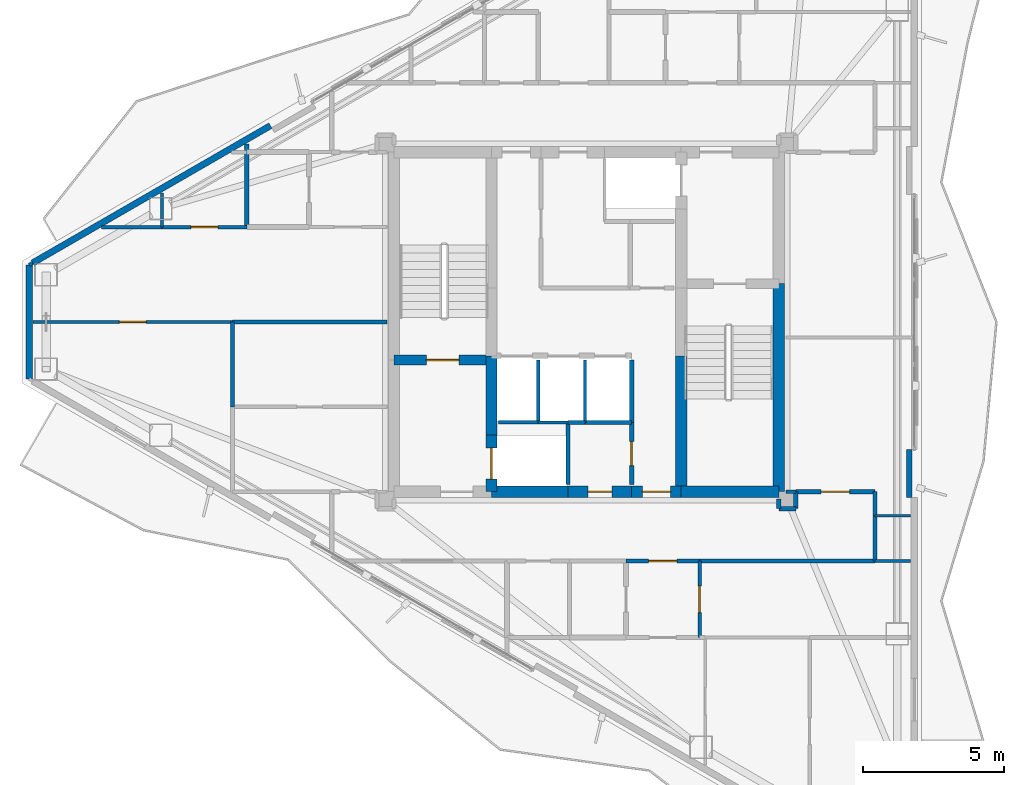
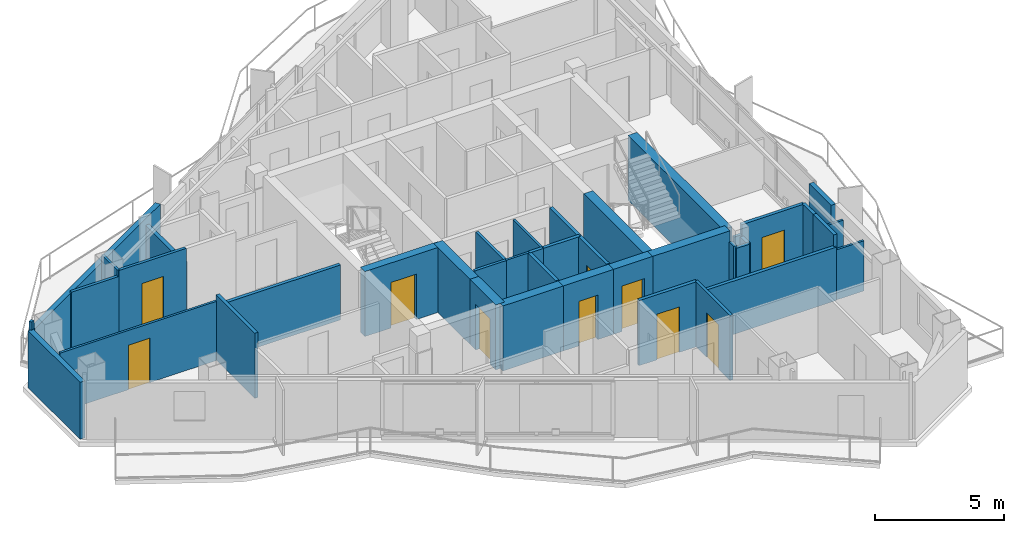
# One storey, part 17 of 22: 41 walls, 10 doors, 10 openings.
"""IFC4 building model written with IfcOpenShell, lengths in metres."""

from ifc_helpers import new_model, si_unit, direction, frame, frame_2d, origin, place, context, subcontext, project, spatial, rectangle, extrude, material, layer, layer_set, type_object, element, fill, save


model = new_model("IFC4")

# Units and contexts
model_context = context("Model", 3, precision=1e-05, world=origin(), true_north=direction((0.0, 1.0)))
body_context = subcontext(model_context, "Body", "Model", "MODEL_VIEW")
ifc_project = project(units=[si_unit("LENGTHUNIT", "METRE"), si_unit("AREAUNIT", "SQUARE_METRE"), si_unit("VOLUMEUNIT", "CUBIC_METRE"), si_unit("PLANEANGLEUNIT", "RADIAN"), si_unit("MASSUNIT", "GRAM", prefix="KILO")], contexts=[model_context])

# Site, building, storey
site_placement = place(None, origin())
site = spatial("IfcSite", under=ifc_project, at=site_placement, CompositionType="ELEMENT")
building_placement = place(site_placement, origin())
building = spatial("IfcBuilding", under=site, at=building_placement, Name="Mersakhor Tower and Convention Hall", CompositionType="ELEMENT")
storey_placement = place(building_placement, frame((0.0, 0.0, 198.60009765625)))
storey = spatial("IfcBuildingStorey", under=building, at=storey_placement, Name="L55", CompositionType="ELEMENT", Elevation=198.60009765625)

# Walls
ifc_material_1 = material(Name="Precast concrete C40/50", Category="concrete")
ifc_layer_1 = layer(ifc_material_1, 0.22509765625)
ifc_layer_set_1 = layer_set([ifc_layer_1], Name="Precast concrete C40/50")
wall_type_1 = type_object("IfcWallType", Name="WL-EXT-225", PredefinedType="SOLIDWALL", material=ifc_layer_set_1)
wall_1_placement = place(storey_placement, frame((9.3076171875, 24.73828125, 0.0), z_axis=(0.0, 0.0, 1.0), x_axis=(0.0, 1.0, 0.0)))
element("IfcWall", 1, at=wall_1_placement, inside=storey, type_object=wall_type_1, Name="L55 Chamfer Braced Spandrel Wall C3", PredefinedType="SOLIDWALL", context=body_context, shape_type="SweptSolid", body=[
    extrude(rectangle(XDim=4.0234375, YDim=0.22509765625, at=frame_2d((2.01171875, 0.0))), origin(), (0.0, 0.0, 1.0), 2.68994140625),
])
wall_2_placement = place(storey_placement, frame((9.4375, 28.836669921875, 0.0), z_axis=(0.0, 0.0, 1.0), x_axis=(0.866027133173, 0.499997004599, 0.0)))
element("IfcWall", 2, at=wall_2_placement, inside=storey, type_object=wall_type_1, Name="L55 Exterior Facade Wall F1-B1", PredefinedType="SOLIDWALL", context=body_context, shape_type="SweptSolid", body=[
    extrude(rectangle(XDim=9.69873046875, YDim=0.22509765625, at=frame_2d((4.849365234375, 0.0))), origin(), (0.0, 0.0, 1.0), 2.68994140625),
])
ifc_material_2 = material(Name="Precast concrete C40/50", Category="concrete")
ifc_layer_2 = layer(ifc_material_2, 0.199951171875)
ifc_layer_set_2 = layer_set([ifc_layer_2], Name="Precast concrete C40/50")
wall_type_2 = type_object("IfcWallType", Name="WL-PAR-200", PredefinedType="PARAPET", material=ifc_layer_set_2)
wall_3_placement = place(storey_placement, frame((40.408447265625, 22.25048828125, 0.0), z_axis=(0.0, 0.0, 1.0), x_axis=(0.0, -1.0, 0.0)))
element("IfcWall", 3, at=wall_3_placement, inside=storey, type_object=wall_type_2, Name="L55 Column Pier Cladding Wall F2-C2", PredefinedType="PARAPET", context=body_context, shape_type="SweptSolid", body=[
    extrude(rectangle(XDim=1.699951171875, YDim=0.199951171875, at=frame_2d((0.85009765625, 0.0))), origin(), (0.0, 0.0, 1.0), 2.68994140625),
])
ifc_material_3 = material(Name="Moisture-resistant acoustic drywall studwork", Category="other")
ifc_layer_3 = layer(ifc_material_3, 0.175048828125)
ifc_layer_set_3 = layer_set([ifc_layer_3], Name="Moisture-resistant acoustic drywall studwork")
wall_type_3 = type_object("IfcWallType", Name="WL-PLM-175", PredefinedType="PLUMBINGWALL", material=ifc_layer_set_3)
wall_4_placement = place(storey_placement, frame((17.0, 30.10009765625, 0.0), z_axis=(0.0, 0.0, 1.0), x_axis=(0.0, 1.0, 0.0)))
element("IfcWall", 4, at=wall_4_placement, inside=storey, type_object=wall_type_3, Name="L55 Interior Partition Wall P-078", PredefinedType="PLUMBINGWALL", context=body_context, shape_type="SweptSolid", body=[
    extrude(rectangle(XDim=2.9453125, YDim=0.175048828125, at=frame_2d((1.47265625, 0.0))), origin(), (0.0, 0.0, 1.0), 2.364990234375),
])
ifc_material_4 = material(Name="Lightweight gypsum partition", Category="other")
ifc_layer_4 = layer(ifc_material_4, 0.10009765625)
ifc_layer_set_4 = layer_set([ifc_layer_4], Name="Lightweight gypsum partition")
wall_type_4 = type_object("IfcWallType", Name="WL-PRT-100", PredefinedType="PARTITIONING", material=ifc_layer_set_4)
wall_5_placement = place(storey_placement, frame((27.300048828125, 23.199951171875, 0.0), z_axis=(0.0, 0.0, 1.0), x_axis=(1.0, 0.0, 0.0)))
element("IfcWall", 5, at=wall_5_placement, inside=storey, type_object=wall_type_4, Name="L55 Interior Partition Wall P-002", PredefinedType="PARTITIONING", context=body_context, shape_type="SweptSolid", body=[
    extrude(rectangle(XDim=1.050048828125, YDim=0.10009765625, at=frame_2d((0.52490234375, 0.0))), origin(), (0.0, 0.0, 1.0), 3.06982421875),
])
wall_6_placement = place(storey_placement, frame((28.949951171875, 25.39990234375, 0.0), z_axis=(0.0, 0.0, 1.0), x_axis=(0.0, -1.0, 0.0)))
element("IfcWall", 6, at=wall_6_placement, inside=storey, type_object=wall_type_4, Name="L55 Interior Partition Wall P-008", PredefinedType="PARTITIONING", context=body_context, shape_type="SweptSolid", body=[
    extrude(rectangle(XDim=2.199951171875, YDim=0.10009765625, at=frame_2d((1.10009765625, 0.0))), origin(), (0.0, 0.0, 1.0), 3.06982421875),
])
wall_7_placement = place(storey_placement, frame((39.199951171875, 18.300048828125, 0.0), z_axis=(0.0, 0.0, 1.0), x_axis=(1.0, 0.0, 0.0)))
element("IfcWall", 7, at=wall_7_placement, inside=storey, type_object=wall_type_4, Name="L55 Interior Partition Wall P-072", PredefinedType="PARTITIONING", context=body_context, shape_type="SweptSolid", body=[
    extrude(rectangle(XDim=1.251953125, YDim=0.10009765625, at=frame_2d((0.6259765625, 0.0))), origin(), (0.0, 0.0, 1.0), 2.364990234375),
])
wall_8_placement = place(storey_placement, frame((14.0, 30.10009765625, 0.0), z_axis=(0.0, 0.0, 1.0), x_axis=(0.0, 1.0, 0.0)))
element("IfcWall", 8, at=wall_8_placement, inside=storey, type_object=wall_type_4, Name="L55 Interior Partition Wall P-080", PredefinedType="PARTITIONING", context=body_context, shape_type="SweptSolid", body=[
    extrude(rectangle(XDim=1.213134765625, YDim=0.10009765625, at=frame_2d((0.6064453125, 0.0))), origin(), (0.0, 0.0, 1.0), 3.06982421875),
])
wall_9_placement = place(storey_placement, frame((40.451904296875, 19.89990234375, 0.0), z_axis=(0.0, 0.0, 1.0), x_axis=(-1.0, 0.0, 0.0)))
element("IfcWall", 9, at=wall_9_placement, inside=storey, type_object=wall_type_4, Name="L55 Interior Partition Wall P-094", PredefinedType="PARTITIONING", context=body_context, shape_type="SweptSolid", body=[
    extrude(rectangle(XDim=1.251953125, YDim=0.10009765625, at=frame_2d((0.6259765625, 0.0))), origin(), (0.0, 0.0, 1.0), 2.364990234375),
])

# Wall, opening, door
wall_10_placement = place(storey_placement, frame((16.5, 26.75, 0.0), z_axis=(0.0, 0.0, 1.0), x_axis=(-1.0, 0.0, 0.0)))
wall_10 = element("IfcWall", 10, at=wall_10_placement, inside=storey, type_object=wall_type_4, Name="L55 Interior Partition Wall P-104", PredefinedType="PARTITIONING", context=body_context, shape_type="SweptSolid", body=[
    extrude(rectangle(XDim=7.055908203125, YDim=0.10009765625, at=frame_2d((3.52783203125, 0.0))), origin(), (0.0, 0.0, 1.0), 2.794677734375),
])
opening_1_placement = place(wall_10_placement, frame((3.052978515625, 0.0, 0.0)))
opening_1 = element("IfcOpeningElement", 11, at=opening_1_placement, cuts=wall_10, Name="Opening RD-01", PredefinedType="OPENING", context=body_context, shape_type="SweptSolid", body=[
    extrude(rectangle(XDim=0.949951171875, YDim=2.10009765625, at=frame_2d((0.47509765625, 1.050048828125))), frame((0.0, 0.06005859375, 0.0), z_axis=(0.0, -1.0, 0.0), x_axis=(1.0, 0.0, 0.0)), (0.0, 0.0, 1.0), 0.1201171875),
])
ifc_material_5 = material(Name="Solid-core hardwood leaf in painted steel frame", Category="steel")
door_type_1 = type_object("IfcDoorType", Name="DR-INT-RM-095x210", OperationType="NOTDEFINED", PredefinedType="DOOR", material=ifc_material_5)
door_1_placement = place(opening_1_placement, origin())
door_1 = element("IfcDoor", 12, at=door_1_placement, inside=storey, type_object=door_type_1, Name="L55 L55 Flat W4 Living and Dining Room to L55 Flat W4 Master Bedroom Door", OperationType="SINGLE_SWING_LEFT", OverallHeight=2.10009765625, OverallWidth=0.949951171875, PredefinedType="DOOR", context=body_context, shape_type="SweptSolid", body=[
    extrude(rectangle(XDim=0.949951171875, YDim=2.10009765625, at=frame_2d((0.47509765625, 1.050048828125))), frame((0.0, 0.02490234375, 0.0), z_axis=(0.0, -1.0, 0.0), x_axis=(1.0, 0.0, 0.0)), (0.0, 0.0, 1.0), 0.050048828125),
])
fill(opening_1, door_1)

# Walls
ifc_material_6 = material(Name="Gypsum board acoustic partition", Category="other")
ifc_layer_5 = layer(ifc_material_6, 0.125)
ifc_layer_set_5 = layer_set([ifc_layer_5], Name="Gypsum board acoustic partition")
wall_type_5 = type_object("IfcWallType", Name="WL-PRT-125", PredefinedType="PARTITIONING", material=ifc_layer_set_5)
wall_11_placement = place(storey_placement, frame((25.89990234375, 23.199951171875, 0.0), z_axis=(0.0, 0.0, 1.0), x_axis=(1.0, 0.0, 0.0)))
element("IfcWall", 13, at=wall_11_placement, inside=storey, type_object=wall_type_5, Name="L55 Interior Partition Wall P-001", PredefinedType="PARTITIONING", context=body_context, shape_type="SweptSolid", body=[
    extrude(rectangle(XDim=1.400146484375, YDim=0.125, at=frame_2d((0.7001953125, 0.0))), origin(), (0.0, 0.0, 1.0), 3.06982421875),
])
wall_12_placement = place(storey_placement, frame((27.300048828125, 25.39990234375, 0.0), z_axis=(0.0, 0.0, 1.0), x_axis=(0.0, -1.0, 0.0)))
element("IfcWall", 14, at=wall_12_placement, inside=storey, type_object=wall_type_5, Name="L55 Interior Partition Wall P-007", PredefinedType="PARTITIONING", context=body_context, shape_type="SweptSolid", body=[
    extrude(rectangle(XDim=2.199951171875, YDim=0.125, at=frame_2d((1.10009765625, 0.0))), origin(), (0.0, 0.0, 1.0), 3.06982421875),
])

# Wall, opening, door
wall_13_placement = place(storey_placement, frame((33.0, 18.300048828125, 0.0), z_axis=(0.0, 0.0, 1.0), x_axis=(0.0, -1.0, 0.0)))
wall_13 = element("IfcWall", 15, at=wall_13_placement, inside=storey, type_object=wall_type_5, Name="L55 Interior Partition Wall P-055", PredefinedType="PARTITIONING", context=body_context, shape_type="SweptSolid", body=[
    extrude(rectangle(XDim=2.699951171875, YDim=0.125, at=frame_2d((1.35009765625, 0.0))), origin(), (0.0, 0.0, 1.0), 3.06982421875),
])
opening_2_placement = place(wall_13_placement, frame((0.875, 0.0, 0.0)))
opening_2 = element("IfcOpeningElement", 16, at=opening_2_placement, cuts=wall_13, Name="Opening RD-01", PredefinedType="OPENING", context=body_context, shape_type="SweptSolid", body=[
    extrude(rectangle(XDim=0.949951171875, YDim=2.10009765625, at=frame_2d((0.47509765625, 1.050048828125))), frame((0.0, 0.072509765625, 0.0), z_axis=(0.0, -1.0, 0.0), x_axis=(1.0, 0.0, 0.0)), (0.0, 0.0, 1.0), 0.14501953125),
])
door_2_placement = place(opening_2_placement, origin())
door_2 = element("IfcDoor", 17, at=door_2_placement, inside=storey, type_object=door_type_1, Name="L55 L55 Flat S3 Apartment Hall to L55 Flat S3 Kitchen Door", OperationType="SINGLE_SWING_LEFT", OverallHeight=2.10009765625, OverallWidth=0.949951171875, PredefinedType="DOOR", context=body_context, shape_type="SweptSolid", body=[
    extrude(rectangle(XDim=0.949951171875, YDim=2.10009765625, at=frame_2d((0.47509765625, 1.050048828125))), frame((0.0, 0.02490234375, 0.0), z_axis=(0.0, -1.0, 0.0), x_axis=(1.0, 0.0, 0.0)), (0.0, 0.0, 1.0), 0.050048828125),
])
fill(opening_2, door_2)

wall_14_placement = place(storey_placement, frame((17.0, 30.10009765625, 0.0), z_axis=(0.0, 0.0, 1.0), x_axis=(-1.0, 0.0, 0.0)))
wall_14 = element("IfcWall", 18, at=wall_14_placement, inside=storey, type_object=wall_type_5, Name="L55 Interior Partition Wall P-079", PredefinedType="PARTITIONING", context=body_context, shape_type="SweptSolid", body=[
    extrude(rectangle(XDim=3.0, YDim=0.125, at=frame_2d((1.5, 0.0))), origin(), (0.0, 0.0, 1.0), 3.06982421875),
])
opening_3_placement = place(wall_14_placement, frame((1.02490234375, 0.0, 0.0)))
opening_3 = element("IfcOpeningElement", 19, at=opening_3_placement, cuts=wall_14, Name="Opening RD-01", PredefinedType="OPENING", context=body_context, shape_type="SweptSolid", body=[
    extrude(rectangle(XDim=0.949951171875, YDim=2.10009765625, at=frame_2d((0.47509765625, 1.050048828125))), frame((0.0, 0.072509765625, 0.0), z_axis=(0.0, -1.0, 0.0), x_axis=(1.0, 0.0, 0.0)), (0.0, 0.0, 1.0), 0.14501953125),
])
door_3_placement = place(opening_3_placement, origin())
door_3 = element("IfcDoor", 20, at=door_3_placement, inside=storey, type_object=door_type_1, Name="L55 L55 Flat W4 Kitchen to L55 Flat W4 Living and Dining Room Door", OperationType="SINGLE_SWING_LEFT", OverallHeight=2.10009765625, OverallWidth=0.949951171875, PredefinedType="DOOR", context=body_context, shape_type="SweptSolid", body=[
    extrude(rectangle(XDim=0.949951171875, YDim=2.10009765625, at=frame_2d((0.47509765625, 1.050048828125))), frame((0.0, 0.02490234375, 0.0), z_axis=(0.0, -1.0, 0.0), x_axis=(1.0, 0.0, 0.0)), (0.0, 0.0, 1.0), 0.050048828125),
])
fill(opening_3, door_3)

# Walls
wall_15_placement = place(storey_placement, frame((36.39990234375, 20.75, 0.0), z_axis=(0.0, 0.0, 1.0), x_axis=(-1.0, 0.0, 0.0)))
element("IfcWall", 21, at=wall_15_placement, inside=storey, type_object=wall_type_5, Name="L55 Interior Partition Wall P-093", PredefinedType="PARTITIONING", context=body_context, shape_type="SweptSolid", body=[
    extrude(rectangle(XDim=0.349853515625, YDim=0.125, at=frame_2d((0.1748046875, 0.0))), origin(), (0.0, 0.0, 1.0), 2.594970703125),
])
wall_16_placement = place(storey_placement, frame((11.873779296875, 30.10009765625, 0.0), z_axis=(0.0, 0.0, 1.0), x_axis=(1.0, 0.0, 0.0)))
element("IfcWall", 22, at=wall_16_placement, inside=storey, type_object=wall_type_5, Name="L55 Interior Partition Wall P-103", PredefinedType="PARTITIONING", context=body_context, shape_type="SweptSolid", body=[
    extrude(rectangle(XDim=2.126220703125, YDim=0.125, at=frame_2d((1.06298828125, 0.0))), origin(), (0.0, 0.0, 1.0), 2.794677734375),
])
wall_17_placement = place(storey_placement, frame((9.306884765625, 28.761962890625, 0.0), z_axis=(0.0, 0.0, 1.0), x_axis=(0.866239593359, 0.499628829129, 0.0)))
element("IfcWall", 23, at=wall_17_placement, inside=storey, type_object=wall_type_5, Name="L55 Interior Partition Wall P-105", PredefinedType="PARTITIONING", context=body_context, shape_type="SweptSolid", body=[
    extrude(rectangle(XDim=0.150390625, YDim=0.125, at=frame_2d((0.0751953125, 0.0))), origin(), (0.0, 0.0, 1.0), 3.06982421875),
])
ifc_material_7 = material(Name="Fire-rated gypsum board stud partition", Category="other")
ifc_layer_6 = layer(ifc_material_7, 0.14990234375)
ifc_layer_set_6 = layer_set([ifc_layer_6], Name="Fire-rated gypsum board stud partition")
wall_type_6 = type_object("IfcWallType", Name="WL-PRT-150", PredefinedType="PARTITIONING", material=ifc_layer_set_6)
wall_18_placement = place(storey_placement, frame((28.35009765625, 23.199951171875, 0.0), z_axis=(0.0, 0.0, 1.0), x_axis=(0.0, -1.0, 0.0)))
element("IfcWall", 24, at=wall_18_placement, inside=storey, type_object=wall_type_6, Name="L55 Interior Partition Wall P-003", PredefinedType="PARTITIONING", context=body_context, shape_type="SweptSolid", body=[
    extrude(rectangle(XDim=2.199951171875, YDim=0.14990234375, at=frame_2d((1.10009765625, 0.0))), origin(), (0.0, 0.0, 1.0), 3.06982421875),
])
wall_19_placement = place(storey_placement, frame((28.949951171875, 23.199951171875, 0.0), z_axis=(0.0, 0.0, 1.0), x_axis=(-1.0, 0.0, 0.0)))
element("IfcWall", 25, at=wall_19_placement, inside=storey, type_object=wall_type_6, Name="L55 Interior Partition Wall P-009", PredefinedType="PARTITIONING", context=body_context, shape_type="SweptSolid", body=[
    extrude(rectangle(XDim=0.599853515625, YDim=0.14990234375, at=frame_2d((0.2998046875, 0.0))), origin(), (0.0, 0.0, 1.0), 3.06982421875),
])
wall_20_placement = place(storey_placement, frame((30.60009765625, 25.39990234375, 0.0), z_axis=(0.0, 0.0, 1.0), x_axis=(0.0, -1.0, 0.0)))
element("IfcWall", 26, at=wall_20_placement, inside=storey, type_object=wall_type_6, Name="L55 Interior Partition Wall P-010", PredefinedType="PARTITIONING", context=body_context, shape_type="SweptSolid", body=[
    extrude(rectangle(XDim=2.199951171875, YDim=0.14990234375, at=frame_2d((1.10009765625, 0.0))), origin(), (0.0, 0.0, 1.0), 3.06982421875),
])
wall_21_placement = place(storey_placement, frame((30.60009765625, 23.199951171875, 0.0), z_axis=(0.0, 0.0, 1.0), x_axis=(-1.0, 0.0, 0.0)))
element("IfcWall", 27, at=wall_21_placement, inside=storey, type_object=wall_type_6, Name="L55 Interior Partition Wall P-011", PredefinedType="PARTITIONING", context=body_context, shape_type="SweptSolid", body=[
    extrude(rectangle(XDim=1.650146484375, YDim=0.14990234375, at=frame_2d((0.8251953125, 0.0))), origin(), (0.0, 0.0, 1.0), 3.06982421875),
])

# Wall, opening, door
wall_22_placement = place(storey_placement, frame((30.60009765625, 21.0, 0.0), z_axis=(0.0, 0.0, 1.0), x_axis=(0.0, 1.0, 0.0)))
wall_22 = element("IfcWall", 28, at=wall_22_placement, inside=storey, type_object=wall_type_6, Name="L55 Interior Partition Wall P-012", PredefinedType="PARTITIONING", context=body_context, shape_type="SweptSolid", body=[
    extrude(rectangle(XDim=2.199951171875, YDim=0.14990234375, at=frame_2d((1.10009765625, 0.0))), origin(), (0.0, 0.0, 1.0), 3.06982421875),
])
opening_4_placement = place(wall_22_placement, frame((0.675048828125, 0.0, 0.0)))
opening_4 = element("IfcOpeningElement", 29, at=opening_4_placement, cuts=wall_22, Name="Opening SVD-01", PredefinedType="OPENING", context=body_context, shape_type="SweptSolid", body=[
    extrude(rectangle(XDim=0.85009765625, YDim=2.10009765625, at=frame_2d((0.425048828125, 1.050048828125))), frame((0.0, 0.0849609375, 0.0), z_axis=(0.0, -1.0, 0.0), x_axis=(1.0, 0.0, 0.0)), (0.0, 0.0, 1.0), 0.169921875),
])
ifc_material_8 = material(Name="Fire-rated hardwood leaf and painted steel frame", Category="steel")
door_type_2 = type_object("IfcDoorType", Name="DR-INT-SVC-085x210", OperationType="NOTDEFINED", PredefinedType="DOOR", material=ifc_material_8)
door_4_placement = place(opening_4_placement, origin())
door_4 = element("IfcDoor", 30, at=door_4_placement, inside=storey, type_object=door_type_2, Name="L55 Central Passenger Lift Lobby to Electrical Distribution Room Door", OperationType="SINGLE_SWING_LEFT", OverallHeight=2.10009765625, OverallWidth=0.85009765625, PredefinedType="DOOR", context=body_context, shape_type="SweptSolid", body=[
    extrude(rectangle(XDim=0.85009765625, YDim=2.10009765625, at=frame_2d((0.425048828125, 1.050048828125))), frame((0.0, 0.02490234375, 0.0), z_axis=(0.0, -1.0, 0.0), x_axis=(1.0, 0.0, 0.0)), (0.0, 0.0, 1.0), 0.050048828125),
])
fill(opening_4, door_4)

# Walls
wall_23_placement = place(storey_placement, frame((35.800048828125, 20.5, 0.0), z_axis=(0.0, 0.0, 1.0), x_axis=(0.0, -1.0, 0.0)))
element("IfcWall", 31, at=wall_23_placement, inside=storey, type_object=wall_type_6, Name="L55 Interior Partition Wall P-038", PredefinedType="PARTITIONING", context=body_context, shape_type="SweptSolid", body=[
    extrude(rectangle(XDim=0.35009765625, YDim=0.14990234375, at=frame_2d((0.175048828125, 0.0))), origin(), (0.0, 0.0, 1.0), 2.594970703125),
])
wall_24_placement = place(storey_placement, frame((35.800048828125, 20.14990234375, 0.0), z_axis=(0.0, 0.0, 1.0), x_axis=(1.0, 0.0, 0.0)))
element("IfcWall", 32, at=wall_24_placement, inside=storey, type_object=wall_type_6, Name="L55 Interior Partition Wall P-039", PredefinedType="PARTITIONING", context=body_context, shape_type="SweptSolid", body=[
    extrude(rectangle(XDim=0.599853515625, YDim=0.14990234375, at=frame_2d((0.2998046875, 0.0))), origin(), (0.0, 0.0, 1.0), 2.518310546875),
])
wall_25_placement = place(storey_placement, frame((36.39990234375, 20.14990234375, 0.0), z_axis=(0.0, 0.0, 1.0), x_axis=(0.0, 1.0, 0.0)))
element("IfcWall", 33, at=wall_25_placement, inside=storey, type_object=wall_type_6, Name="L55 Interior Partition Wall P-040", PredefinedType="PARTITIONING", context=body_context, shape_type="SweptSolid", body=[
    extrude(rectangle(XDim=0.60009765625, YDim=0.14990234375, at=frame_2d((0.300048828125, 0.0))), origin(), (0.0, 0.0, 1.0), 2.518310546875),
])

# Wall, opening, door
wall_26_placement = place(storey_placement, frame((36.39990234375, 20.75, 0.0), z_axis=(0.0, 0.0, 1.0), x_axis=(1.0, 0.0, 0.0)))
wall_26 = element("IfcWall", 34, at=wall_26_placement, inside=storey, type_object=wall_type_6, Name="L55 Interior Partition Wall P-041", PredefinedType="PARTITIONING", context=body_context, shape_type="SweptSolid", body=[
    extrude(rectangle(XDim=2.800048828125, YDim=0.14990234375, at=frame_2d((1.39990234375, 0.0))), origin(), (0.0, 0.0, 1.0), 3.06982421875),
])
opening_5_placement = place(wall_26_placement, frame((0.89990234375, 0.0, 0.0)))
opening_5 = element("IfcOpeningElement", 35, at=opening_5_placement, cuts=wall_26, Name="Opening FD-01", PredefinedType="OPENING", context=body_context, shape_type="SweptSolid", body=[
    extrude(rectangle(XDim=1.0, YDim=2.14990234375, at=frame_2d((0.5, 1.074951171875))), frame((0.0, 0.0849609375, 0.0), z_axis=(0.0, -1.0, 0.0), x_axis=(1.0, 0.0, 0.0)), (0.0, 0.0, 1.0), 0.169921875),
])
ifc_material_9 = material(Name="Fire-rated hardwood leaf and painted steel frame", Category="steel")
door_type_3 = type_object("IfcDoorType", Name="DR-INT-FLT-100x215", OperationType="NOTDEFINED", PredefinedType="DOOR", material=ifc_material_9)
door_5_placement = place(opening_5_placement, origin())
door_5 = element("IfcDoor", 36, at=door_5_placement, inside=storey, type_object=door_type_3, Name="L55 Residential South Gallery Corridor to L55 East Wing Residents Reading Lounge Door", OperationType="SINGLE_SWING_RIGHT", OverallHeight=2.14990234375, OverallWidth=1.0, PredefinedType="DOOR", context=body_context, shape_type="SweptSolid", body=[
    extrude(rectangle(XDim=1.0, YDim=2.14990234375, at=frame_2d((0.5, 1.074951171875))), frame((0.0, 0.02490234375, 0.0), z_axis=(0.0, -1.0, 0.0), x_axis=(1.0, 0.0, 0.0)), (0.0, 0.0, 1.0), 0.050048828125),
])
fill(opening_5, door_5)

# Walls
wall_27_placement = place(storey_placement, frame((39.199951171875, 20.75, 0.0), z_axis=(0.0, 0.0, 1.0), x_axis=(0.0, -1.0, 0.0)))
element("IfcWall", 37, at=wall_27_placement, inside=storey, type_object=wall_type_6, Name="L55 Interior Partition Wall P-042", PredefinedType="PARTITIONING", context=body_context, shape_type="SweptSolid", body=[
    extrude(rectangle(XDim=0.85009765625, YDim=0.14990234375, at=frame_2d((0.425048828125, 0.0))), origin(), (0.0, 0.0, 1.0), 3.06982421875),
])
wall_28_placement = place(storey_placement, frame((39.199951171875, 19.89990234375, 0.0), z_axis=(0.0, 0.0, 1.0), x_axis=(0.0, -1.0, 0.0)))
element("IfcWall", 38, at=wall_28_placement, inside=storey, type_object=wall_type_6, Name="L55 Interior Partition Wall P-043", PredefinedType="PARTITIONING", context=body_context, shape_type="SweptSolid", body=[
    extrude(rectangle(XDim=1.599853515625, YDim=0.14990234375, at=frame_2d((0.7998046875, 0.0))), origin(), (0.0, 0.0, 1.0), 3.06982421875),
])
wall_29_placement = place(storey_placement, frame((39.199951171875, 18.300048828125, 0.0), z_axis=(0.0, 0.0, 1.0), x_axis=(-1.0, 0.0, 0.0)))
element("IfcWall", 39, at=wall_29_placement, inside=storey, type_object=wall_type_6, Name="L55 Interior Partition Wall P-044", PredefinedType="PARTITIONING", context=body_context, shape_type="SweptSolid", body=[
    extrude(rectangle(XDim=6.199951171875, YDim=0.14990234375, at=frame_2d((3.10009765625, 0.0))), origin(), (0.0, 0.0, 1.0), 2.518310546875),
])

# Wall, opening, door
wall_30_placement = place(storey_placement, frame((33.0, 18.300048828125, 0.0), z_axis=(0.0, 0.0, 1.0), x_axis=(-1.0, 0.0, 0.0)))
wall_30 = element("IfcWall", 40, at=wall_30_placement, inside=storey, type_object=wall_type_6, Name="L55 Interior Partition Wall P-045", PredefinedType="PARTITIONING", context=body_context, shape_type="SweptSolid", body=[
    extrude(rectangle(XDim=2.60009765625, YDim=0.14990234375, at=frame_2d((1.300048828125, 0.0))), origin(), (0.0, 0.0, 1.0), 3.06982421875),
])
opening_6_placement = place(wall_30_placement, frame((0.800048828125, 0.0, 0.0)))
opening_6 = element("IfcOpeningElement", 41, at=opening_6_placement, cuts=wall_30, Name="Opening FD-01", PredefinedType="OPENING", context=body_context, shape_type="SweptSolid", body=[
    extrude(rectangle(XDim=1.0, YDim=2.14990234375, at=frame_2d((0.5, 1.074951171875))), frame((0.0, 0.0849609375, 0.0), z_axis=(0.0, -1.0, 0.0), x_axis=(1.0, 0.0, 0.0)), (0.0, 0.0, 1.0), 0.169921875),
])
door_6_placement = place(opening_6_placement, origin())
door_6 = element("IfcDoor", 42, at=door_6_placement, inside=storey, type_object=door_type_3, Name="L55 Apartment Entrance Door (Residential South Gallery Corridor to L55 Flat S3 Apartment Hall)", OperationType="SINGLE_SWING_LEFT", OverallHeight=2.14990234375, OverallWidth=1.0, PredefinedType="DOOR", context=body_context, shape_type="SweptSolid", body=[
    extrude(rectangle(XDim=1.0, YDim=2.14990234375, at=frame_2d((0.5, 1.074951171875))), frame((0.0, 0.02490234375, 0.0), z_axis=(0.0, -1.0, 0.0), x_axis=(1.0, 0.0, 0.0)), (0.0, 0.0, 1.0), 0.050048828125),
])
fill(opening_6, door_6)

# Walls
wall_31_placement = place(storey_placement, frame((16.5, 23.75, 0.0), z_axis=(0.0, 0.0, 1.0), x_axis=(0.0, 1.0, 0.0)))
element("IfcWall", 43, at=wall_31_placement, inside=storey, type_object=wall_type_6, Name="L55 Interior Partition Wall P-088", PredefinedType="PARTITIONING", context=body_context, shape_type="SweptSolid", body=[
    extrude(rectangle(XDim=3.0, YDim=0.14990234375, at=frame_2d((1.5, 0.0))), origin(), (0.0, 0.0, 1.0), 3.06982421875),
])
wall_32_placement = place(storey_placement, frame((16.5, 26.75, 0.0), z_axis=(0.0, 0.0, 1.0), x_axis=(1.0, 0.0, 0.0)))
element("IfcWall", 44, at=wall_32_placement, inside=storey, type_object=wall_type_6, Name="L55 Interior Partition Wall P-089", PredefinedType="PARTITIONING", context=body_context, shape_type="SweptSolid", body=[
    extrude(rectangle(XDim=5.449951171875, YDim=0.14990234375, at=frame_2d((2.72509765625, 0.0))), origin(), (0.0, 0.0, 1.0), 2.594970703125),
])

# Wall, opening, door
ifc_material_10 = material(Name="Concrete C50/60", Category="concrete")
ifc_layer_7 = layer(ifc_material_10, 0.35009765625)
ifc_layer_set_7 = layer_set([ifc_layer_7], Name="Concrete C50/60")
wall_type_7 = type_object("IfcWallType", Name="WL-SHR-350", PredefinedType="SHEAR", material=ifc_layer_set_7)
wall_33_placement = place(storey_placement, frame((22.199951171875, 25.39990234375, 0.0), z_axis=(0.0, 0.0, 1.0), x_axis=(1.0, 0.0, 0.0)))
wall_33 = element("IfcWall", 45, at=wall_33_placement, inside=storey, type_object=wall_type_7, Name="L55 Core Wall CS-ST1-S", PredefinedType="SHEAR", context=body_context, shape_type="SweptSolid", body=[
    extrude(rectangle(XDim=3.449951171875, YDim=0.35009765625, at=frame_2d((1.72509765625, 0.0))), origin(), (0.0, 0.0, 1.0), 3.06982421875),
])
opening_7_placement = place(wall_33_placement, frame((1.14990234375, 0.0, 0.0)))
opening_7 = element("IfcOpeningElement", 46, at=opening_7_placement, cuts=wall_33, Name="Opening SD-01", PredefinedType="OPENING", context=body_context, shape_type="SweptSolid", body=[
    extrude(rectangle(XDim=1.14990234375, YDim=2.14990234375, at=frame_2d((0.574951171875, 1.074951171875))), frame((0.0, 0.18505859375, 0.0), z_axis=(0.0, -1.0, 0.0), x_axis=(1.0, 0.0, 0.0)), (0.0, 0.0, 1.0), 0.3701171875),
])
ifc_material_11 = material(Name="Fire-rated hardwood leaf and painted steel frame", Category="steel")
door_type_4 = type_object("IfcDoorType", Name="DR-INT-STAIR-115x215", OperationType="NOTDEFINED", PredefinedType="DOOR", material=ifc_material_11)
door_7_placement = place(opening_7_placement, origin())
door_7 = element("IfcDoor", 47, at=door_7_placement, inside=storey, type_object=door_type_4, Name="L55 Exit Stair ST-1 Enclosure Door", OperationType="SINGLE_SWING_LEFT", OverallHeight=2.14990234375, OverallWidth=1.14990234375, PredefinedType="DOOR", context=body_context, shape_type="SweptSolid", body=[
    extrude(rectangle(XDim=1.14990234375, YDim=2.14990234375, at=frame_2d((0.574951171875, 1.074951171875))), frame((0.0, 0.02490234375, 0.0), z_axis=(0.0, -1.0, 0.0), x_axis=(1.0, 0.0, 0.0)), (0.0, 0.0, 1.0), 0.050048828125),
])
fill(opening_7, door_7)

# Walls
ifc_material_12 = material(Name="Concrete C60/75", Category="concrete")
ifc_layer_8 = layer(ifc_material_12, 0.39990234375)
ifc_layer_set_8 = layer_set([ifc_layer_8], Name="Concrete C60/75")
wall_type_8 = type_object("IfcWallType", Name="WL-SHR-400", PredefinedType="SHEAR", material=ifc_layer_set_8)
wall_34_placement = place(storey_placement, frame((35.800048828125, 28.10009765625, 0.0), z_axis=(0.0, 0.0, 1.0), x_axis=(0.0, -1.0, 0.0)))
element("IfcWall", 48, at=wall_34_placement, inside=storey, type_object=wall_type_8, Name="L55 Core Wall CW-E2", PredefinedType="SHEAR", context=body_context, shape_type="SweptSolid", body=[
    extrude(rectangle(XDim=7.35009765625, YDim=0.39990234375, at=frame_2d((3.675048828125, 0.0))), origin(), (0.0, 0.0, 1.0), 3.06982421875),
])
wall_35_placement = place(storey_placement, frame((35.800048828125, 20.75, 0.0), z_axis=(0.0, 0.0, 1.0), x_axis=(-1.0, 0.0, 0.0)))
element("IfcWall", 49, at=wall_35_placement, inside=storey, type_object=wall_type_8, Name="L55 Core Wall CW-S1", PredefinedType="SHEAR", context=body_context, shape_type="SweptSolid", body=[
    extrude(rectangle(XDim=3.449951171875, YDim=0.39990234375, at=frame_2d((1.72509765625, 0.0))), origin(), (0.0, 0.0, 1.0), 3.06982421875),
])

# Wall, opening, door
wall_36_placement = place(storey_placement, frame((32.35009765625, 20.75, 0.0), z_axis=(0.0, 0.0, 1.0), x_axis=(-1.0, 0.0, 0.0)))
wall_36 = element("IfcWall", 50, at=wall_36_placement, inside=storey, type_object=wall_type_8, Name="L55 Core Wall CW-S2A", PredefinedType="SHEAR", context=body_context, shape_type="SweptSolid", body=[
    extrude(rectangle(XDim=1.75, YDim=0.39990234375, at=frame_2d((0.875, 0.0))), origin(), (0.0, 0.0, 1.0), 3.06982421875),
])
opening_8_placement = place(wall_36_placement, frame((0.375, 0.0, 0.0)))
opening_8 = element("IfcOpeningElement", 51, at=opening_8_placement, cuts=wall_36, Name="Opening CFD-01", PredefinedType="OPENING", context=body_context, shape_type="SweptSolid", body=[
    extrude(rectangle(XDim=1.0, YDim=2.14990234375, at=frame_2d((0.5, 1.074951171875))), frame((0.0, 0.2099609375, 0.0), z_axis=(0.0, -1.0, 0.0), x_axis=(1.0, 0.0, 0.0)), (0.0, 0.0, 1.0), 0.419921875),
])
ifc_material_13 = material(Name="Fire-rated hardwood leaf and painted steel frame", Category="steel")
door_type_5 = type_object("IfcDoorType", Name="DR-CORE-FD-100x215", OperationType="NOTDEFINED", PredefinedType="DOOR", material=ifc_material_13)
door_8_placement = place(opening_8_placement, origin())
door_8 = element("IfcDoor", 52, at=door_8_placement, inside=storey, type_object=door_type_5, Name="L55 Lift Lobby South Corridor Door", OperationType="SINGLE_SWING_RIGHT", OverallHeight=2.14990234375, OverallWidth=1.0, PredefinedType="DOOR", context=body_context, shape_type="SweptSolid", body=[
    extrude(rectangle(XDim=1.0, YDim=2.14990234375, at=frame_2d((0.5, 1.074951171875))), frame((0.0, 0.02490234375, 0.0), z_axis=(0.0, -1.0, 0.0), x_axis=(1.0, 0.0, 0.0)), (0.0, 0.0, 1.0), 0.050048828125),
])
fill(opening_8, door_8)

wall_37_placement = place(storey_placement, frame((30.60009765625, 20.75, 0.0), z_axis=(0.0, 0.0, 1.0), x_axis=(-1.0, 0.0, 0.0)))
wall_37 = element("IfcWall", 53, at=wall_37_placement, inside=storey, type_object=wall_type_8, Name="L55 Core Wall CW-S2B", PredefinedType="SHEAR", context=body_context, shape_type="SweptSolid", body=[
    extrude(rectangle(XDim=2.25, YDim=0.39990234375, at=frame_2d((1.125, 0.0))), origin(), (0.0, 0.0, 1.0), 3.06982421875),
])
opening_9_placement = place(wall_37_placement, frame((0.699951171875, 0.0, 0.0)))
opening_9 = element("IfcOpeningElement", 54, at=opening_9_placement, cuts=wall_37, Name="Opening SVD-01", PredefinedType="OPENING", context=body_context, shape_type="SweptSolid", body=[
    extrude(rectangle(XDim=0.85009765625, YDim=2.10009765625, at=frame_2d((0.425048828125, 1.050048828125))), frame((0.0, 0.2099609375, 0.0), z_axis=(0.0, -1.0, 0.0), x_axis=(1.0, 0.0, 0.0)), (0.0, 0.0, 1.0), 0.419921875),
])
door_9_placement = place(opening_9_placement, origin())
door_9 = element("IfcDoor", 55, at=door_9_placement, inside=storey, type_object=door_type_2, Name="L55 Residential South Gallery Corridor to Electrical Distribution Room Door", OperationType="SINGLE_SWING_LEFT", OverallHeight=2.10009765625, OverallWidth=0.85009765625, PredefinedType="DOOR", context=body_context, shape_type="SweptSolid", body=[
    extrude(rectangle(XDim=0.85009765625, YDim=2.10009765625, at=frame_2d((0.425048828125, 1.050048828125))), frame((0.0, 0.02490234375, 0.0), z_axis=(0.0, -1.0, 0.0), x_axis=(1.0, 0.0, 0.0)), (0.0, 0.0, 1.0), 0.050048828125),
])
fill(opening_9, door_9)

# Wall
wall_38_placement = place(storey_placement, frame((28.35009765625, 20.75, 0.0), z_axis=(0.0, 0.0, 1.0), x_axis=(-1.0, 0.0, 0.0)))
element("IfcWall", 56, at=wall_38_placement, inside=storey, type_object=wall_type_8, Name="L55 Core Wall CW-S3", PredefinedType="SHEAR", context=body_context, shape_type="SweptSolid", body=[
    extrude(rectangle(XDim=2.7001953125, YDim=0.39990234375, at=frame_2d((1.35009765625, 0.0))), origin(), (0.0, 0.0, 1.0), 3.06982421875),
])

# Wall, opening, door
wall_39_placement = place(storey_placement, frame((25.64990234375, 20.75, 0.0), z_axis=(0.0, 0.0, 1.0), x_axis=(0.0, 1.0, 0.0)))
wall_39 = element("IfcWall", 57, at=wall_39_placement, inside=storey, type_object=wall_type_8, Name="L55 Core Wall CS-W-FFL", PredefinedType="SHEAR", context=body_context, shape_type="SweptSolid", body=[
    extrude(rectangle(XDim=2.0, YDim=0.39990234375, at=frame_2d((1.0, 0.0))), origin(), (0.0, 0.0, 1.0), 3.06982421875),
])
opening_10_placement = place(wall_39_placement, frame((0.449951171875, 0.0, 0.0)))
opening_10 = element("IfcOpeningElement", 58, at=opening_10_placement, cuts=wall_39, Name="Opening LD-FFL1", PredefinedType="OPENING", context=body_context, shape_type="SweptSolid", body=[
    extrude(rectangle(XDim=1.10009765625, YDim=2.14990234375, at=frame_2d((0.550048828125, 1.074951171875))), frame((0.0, 0.2099609375, 0.0), z_axis=(0.0, -1.0, 0.0), x_axis=(1.0, 0.0, 0.0)), (0.0, 0.0, 1.0), 0.419921875),
])
ifc_material_14 = material(Name="Fire-rated brushed stainless steel sliding landing door", Category="steel")
door_type_6 = type_object("IfcDoorType", Name="DR-LIFT-SLD-110x215", OperationType="NOTDEFINED", PredefinedType="DOOR", material=ifc_material_14)
door_10_placement = place(opening_10_placement, origin())
door_10 = element("IfcDoor", 59, at=door_10_placement, inside=storey, type_object=door_type_6, Name="L55 Firefighting Lift Landing Door LD-FFL1", OperationType="SLIDING_TO_LEFT", OverallHeight=2.14990234375, OverallWidth=1.10009765625, PredefinedType="DOOR", context=body_context, shape_type="SweptSolid", body=[
    extrude(rectangle(XDim=1.10009765625, YDim=2.14990234375, at=frame_2d((0.550048828125, 1.074951171875))), frame((0.0, 0.02490234375, 0.0), z_axis=(0.0, -1.0, 0.0), x_axis=(1.0, 0.0, 0.0)), (0.0, 0.0, 1.0), 0.050048828125),
])
fill(opening_10, door_10)

# Walls
wall_40_placement = place(storey_placement, frame((25.64990234375, 22.75, 0.0), z_axis=(0.0, 0.0, 1.0), x_axis=(0.0, 1.0, 0.0)))
element("IfcWall", 60, at=wall_40_placement, inside=storey, type_object=wall_type_8, Name="L55 Core Wall CS-W-MID", PredefinedType="SHEAR", context=body_context, shape_type="SweptSolid", body=[
    extrude(rectangle(XDim=2.800048828125, YDim=0.39990234375, at=frame_2d((1.39990234375, 0.0))), origin(), (0.0, 0.0, 1.0), 3.06982421875),
])
wall_41_placement = place(storey_placement, frame((32.35009765625, 20.75, 0.0), z_axis=(0.0, 0.0, 1.0), x_axis=(0.0, 1.0, 0.0)))
element("IfcWall", 61, at=wall_41_placement, inside=storey, type_object=wall_type_8, Name="L55 Core Wall CS-E-ST2", PredefinedType="SHEAR", context=body_context, shape_type="SweptSolid", body=[
    extrude(rectangle(XDim=4.800048828125, YDim=0.39990234375, at=frame_2d((2.39990234375, 0.0))), origin(), (0.0, 0.0, 1.0), 3.06982421875),
])

save(model, "model.ifc")
